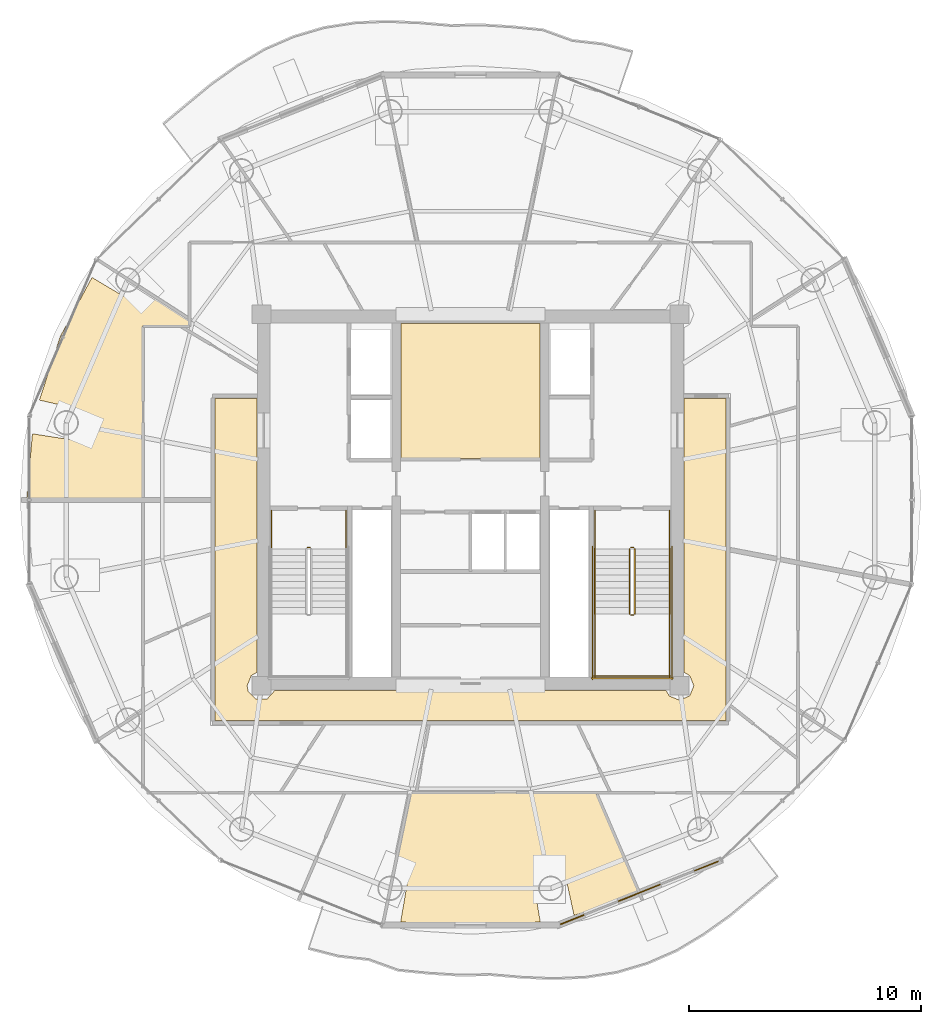
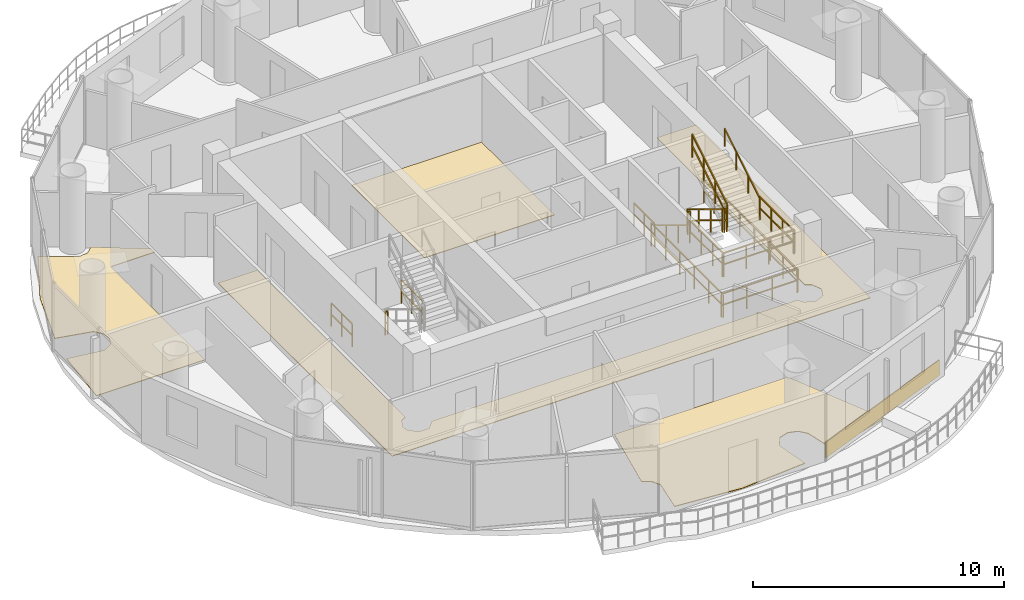
# One storey, part 22 of 23: 17 railings, 5 coverings.
"""IFC4 building model written with IfcOpenShell, lengths in metres."""

from ifc_helpers import new_model, si_unit, direction, frame, origin, origin_2d, place, context, subcontext, project, spatial, polyline, rectangle, outline, extrude, source, transform, mapped, material, layer, layer_set, type_object, element, save


model = new_model("IFC4")

# Units and contexts
model_context = context("Model", 3, precision=1e-05, world=origin(), true_north=direction((-0.2419218956, 0.970295726276)))
body_context = subcontext(model_context, "Body", "Model", "MODEL_VIEW")
ifc_project = project(units=[si_unit("LENGTHUNIT", "METRE"), si_unit("AREAUNIT", "SQUARE_METRE"), si_unit("VOLUMEUNIT", "CUBIC_METRE"), si_unit("PLANEANGLEUNIT", "RADIAN"), si_unit("MASSUNIT", "GRAM", prefix="KILO")], contexts=[model_context])

# Site, building, storey
site_placement = place(None, origin())
site = spatial("IfcSite", under=ifc_project, at=site_placement, CompositionType="ELEMENT")
building_placement = place(site_placement, origin())
building = spatial("IfcBuilding", under=site, at=building_placement, Name="Cobrevalo Terracotta Tower", CompositionType="ELEMENT")
storey_placement = place(building_placement, frame((0.0, 0.0, 296.949951171875)))
storey = spatial("IfcBuildingStorey", under=building, at=storey_placement, Name="L78", CompositionType="ELEMENT", Elevation=296.949951171875)

# Coverings
ifc_material_1 = material(Name="Engineered Brazilian hardwood flooring", Category="wood")
ifc_layer_1 = layer(ifc_material_1, 0.028076171875)
ifc_layer_set_1 = layer_set([ifc_layer_1], Name="Engineered Brazilian hardwood flooring")
covering_type_1 = type_object("IfcCoveringType", Name="Engineered Hardwood Suite Flooring 28", PredefinedType="FLOORING", material=ifc_layer_set_1)
covering_1_placement = place(storey_placement, origin())
element("IfcCovering", 1, at=covering_1_placement, inside=storey, type_object=covering_type_1, Name="Flat L78A Private Cinema Room floor finish", PredefinedType="FLOORING", context=body_context, shape_type="SweptSolid", body=[
    extrude(outline(polyline([(23.875, 34.300048828125), (23.875, 26.820068359375), (18.88134765625, 26.820068359375), (19.1357421875, 29.65087890625), (20.740966796875, 29.401611328125), (21.118408203125, 29.60693359375), (21.318115234375, 29.9873046875), (21.272705078125, 30.41455078125), (20.99755859375, 30.74462890625), (19.43505859375, 31.1005859375), (20.33544921875, 33.848876953125), (21.699951171875, 36.382568359375), (23.1103515625, 35.5439453125), (23.537109375, 35.593994140625), (23.864501953125, 35.88037109375), (25.885009765625, 34.5791015625), (25.885009765625, 34.300048828125), (23.875, 34.300048828125)])), origin(), (0.0, 0.0, 1.0), 0.030029296875),
])
covering_2_placement = place(storey_placement, origin())
element("IfcCovering", 2, at=covering_2_placement, inside=storey, type_object=covering_type_1, Name="Flat L78B Principal Guest Bedroom floor finish", PredefinedType="FLOORING", context=body_context, shape_type="SweptSolid", body=[
    extrude(outline(polyline([(42.45947265625, 8.9140625), (42.144287109375, 10.3662109375), (41.869140625, 10.6962890625), (41.45703125, 10.817626953125), (41.046875, 10.689697265625), (40.73583984375, 10.21630859375), (41.005859375, 8.635498046875), (38.0, 8.380126953125), (34.994140625, 8.635498046875), (35.26416015625, 10.21630859375), (35.064453125, 10.596923828125), (34.71728515625, 10.79296875), (35.4150390625, 14.175048828125), (43.4033203125, 14.175048828125), (45.294189453125, 9.77490234375), (42.45947265625, 8.9140625)])), origin(), (0.0, 0.0, 1.0), 0.030029296875),
])
ifc_material_2 = material(Name="Honed terracotta and granite tile", Category="masonry")
ifc_layer_2 = layer(ifc_material_2, 0.034912109375)
ifc_layer_set_2 = layer_set([ifc_layer_2], Name="Honed terracotta and granite tile")
covering_type_2 = type_object("IfcCoveringType", Name="Honed Terracotta & Granite Interior Flooring 35", PredefinedType="FLOORING", material=ifc_layer_set_2)
covering_3_placement = place(storey_placement, origin())
element("IfcCovering", 3, at=covering_3_placement, inside=storey, type_object=covering_type_2, Name="Floor Electrical Switchroom floor finish", PredefinedType="FLOORING", context=body_context, shape_type="SweptSolid", body=[
    extrude(outline(polyline([(35.010009765625, 34.405029296875), (40.989990234375, 34.405029296875), (40.989990234375, 28.580078125), (35.010009765625, 28.580078125), (35.010009765625, 34.405029296875)])), origin(), (0.0, 0.0, 1.0), 0.030029296875),
])
covering_4_placement = place(storey_placement, origin())
element("IfcCovering", 4, at=covering_4_placement, inside=storey, type_object=covering_type_2, Name="L78 Residential Floor Corridor floor finish", PredefinedType="FLOORING", context=body_context, shape_type="SweptSolid", body=[
    extrude(outline(polyline([(26.9951171875, 31.179931640625), (28.804931640625, 31.179931640625), (28.804931640625, 19.381591796875), (28.561279296875, 19.23876953125), (28.379638671875, 18.800048828125), (28.4267578125, 18.5625), (28.7626953125, 18.226806640625), (29.2373046875, 18.226806640625), (29.58154296875, 18.60498046875), (46.41845703125, 18.60498046875), (46.561279296875, 18.361328125), (47.0, 18.1796875), (47.438720703125, 18.361328125), (47.620361328125, 18.800048828125), (47.438720703125, 19.23876953125), (47.195068359375, 19.381591796875), (47.195068359375, 31.179931640625), (49.0048828125, 31.179931640625), (49.0048828125, 17.294921875), (26.9951171875, 17.294921875), (26.9951171875, 31.179931640625)])), origin(), (0.0, 0.0, 1.0), 0.030029296875),
])

# Railings
ifc_material_3 = material(Name="Brushed stainless steel", Category="steel")
railing_type_1 = type_object("IfcRailingType", Name="Stainless Steel Stair Handrail 900", PredefinedType="HANDRAIL", material=ifc_material_3)
railing_1_placement = place(storey_placement, frame((43.35498046875, 24.699951171875, 0.17041015625)))
element("IfcRailing", 5, at=railing_1_placement, inside=storey, type_object=railing_type_1, Name="L78 ST-2 stair handrail 1", PredefinedType="HANDRAIL", context=body_context, shape_type="SweptSolid", body=[
    extrude(rectangle(XDim=0.048095703125, YDim=0.048095703125, at=origin_2d()), frame((0.0, 0.0, 0.8759765625), z_axis=(0.0, -0.854169791009, 0.51999420009), x_axis=(1.0, 0.0, 0.0)), (0.0, 0.0, 1.0), 3.278076171875),
    extrude(rectangle(XDim=0.0419921875, YDim=0.0419921875, at=origin_2d()), origin(), (0.0, 0.0, 1.0), 0.851806640625),
    extrude(rectangle(XDim=0.0419921875, YDim=0.0419921875, at=origin_2d()), frame((0.0, -0.933349609375, 0.568115234375)), (0.0, 0.0, 1.0), 0.851806640625),
    extrude(rectangle(XDim=0.0419921875, YDim=0.0419921875, at=origin_2d()), frame((0.0, -1.86669921875, 1.136474609375)), (0.0, 0.0, 1.0), 0.851806640625),
    extrude(rectangle(XDim=0.0419921875, YDim=0.0419921875, at=origin_2d()), frame((0.0, -2.800048828125, 1.70458984375)), (0.0, 0.0, 1.0), 0.851806640625),
])
railing_2_placement = place(storey_placement, frame((46.574951171875, 21.89990234375, 2.04541015625)))
element("IfcRailing", 6, at=railing_2_placement, inside=storey, type_object=railing_type_1, Name="L78 ST-2 stair handrail 2", PredefinedType="HANDRAIL", context=body_context, shape_type="SweptSolid", body=[
    extrude(rectangle(XDim=0.048095703125, YDim=0.048095703125, at=origin_2d()), frame((0.0, 0.0, 0.8759765625), z_axis=(0.0, 0.854169791009, 0.51999420009), x_axis=(-1.0, 0.0, 0.0)), (0.0, 0.0, 1.0), 3.278076171875),
    extrude(rectangle(XDim=0.0419921875, YDim=0.0419921875, at=origin_2d()), origin(), (0.0, 0.0, 1.0), 0.851806640625),
    extrude(rectangle(XDim=0.0419921875, YDim=0.0419921875, at=origin_2d()), frame((0.0, 0.933349609375, 0.568115234375)), (0.0, 0.0, 1.0), 0.851806640625),
    extrude(rectangle(XDim=0.0419921875, YDim=0.0419921875, at=origin_2d()), frame((0.0, 1.86669921875, 1.136474609375)), (0.0, 0.0, 1.0), 0.851806640625),
    extrude(rectangle(XDim=0.0419921875, YDim=0.0419921875, at=origin_2d()), frame((0.0, 2.800048828125, 1.70458984375)), (0.0, 0.0, 1.0), 0.851806640625),
])
ifc_material_4 = material(Name="Painted galvanized steel", Category="steel")
railing_type_2 = type_object("IfcRailingType", Name="Stair Well Guard Balustrade 1150", PredefinedType="GUARDRAIL", material=ifc_material_4)
railing_3_placement = place(storey_placement, frame((30.97509765625, 24.75, 0.0)))
element("IfcRailing", 7, at=railing_3_placement, inside=storey, type_object=railing_type_2, Name="L78 ST-1 stair guard 7", PredefinedType="GUARDRAIL", context=body_context, shape_type="SweptSolid", body=[
    extrude(rectangle(XDim=0.048095703125, YDim=0.048095703125, at=origin_2d()), frame((0.0, 0.0, 1.1259765625), z_axis=(1.0, 0.0, 0.0), x_axis=(0.0, 1.0, 0.0)), (0.0, 0.0, 1.0), 0.119873046875),
    extrude(rectangle(XDim=0.048095703125, YDim=0.048095703125, at=origin_2d()), frame((0.0, 0.0, 0.574951171875), z_axis=(1.0, 0.0, 0.0), x_axis=(0.0, 1.0, 0.0)), (0.0, 0.0, 1.0), 0.119873046875),
    extrude(rectangle(XDim=0.0419921875, YDim=0.0419921875, at=origin_2d()), origin(), (0.0, 0.0, 1.0), 1.101806640625),
    extrude(rectangle(XDim=0.0419921875, YDim=0.0419921875, at=origin_2d()), frame((0.119873046875, 0.0, 0.0)), (0.0, 0.0, 1.0), 1.101806640625),
])
for number, where, name in (
    (8, (29.425048828125, 26.35009765625, 0.0), "L78 ST-1 stair guard 8"),
    (9, (32.64501953125, 26.35009765625, 0.0), "L78 ST-1 stair guard 9"),
):
    element("IfcRailing", number, at=place(storey_placement, frame(where)), inside=storey, type_object=railing_type_2, Name=name, PredefinedType="GUARDRAIL", context=body_context, shape_type="SweptSolid", body=[
        extrude(rectangle(XDim=0.048095703125, YDim=0.048095703125, at=origin_2d()), frame((0.0, 0.0, 1.1259765625), z_axis=(0.0, -1.0, 0.0), x_axis=(1.0, 0.0, 0.0)), (0.0, 0.0, 1.0), 1.650146484375),
        extrude(rectangle(XDim=0.048095703125, YDim=0.048095703125, at=origin_2d()), frame((0.0, 0.0, 0.574951171875), z_axis=(0.0, -1.0, 0.0), x_axis=(1.0, 0.0, 0.0)), (0.0, 0.0, 1.0), 1.650146484375),
        extrude(rectangle(XDim=0.0419921875, YDim=0.0419921875, at=origin_2d()), origin(), (0.0, 0.0, 1.0), 1.101806640625),
        extrude(rectangle(XDim=0.0419921875, YDim=0.0419921875, at=origin_2d()), frame((0.0, -0.8251953125, 0.0)), (0.0, 0.0, 1.0), 1.101806640625),
        extrude(rectangle(XDim=0.0419921875, YDim=0.0419921875, at=origin_2d()), frame((0.0, -1.650146484375, 0.0)), (0.0, 0.0, 1.0), 1.101806640625),
    ])
railing_4_placement = place(storey_placement, frame((44.85498046875, 24.699951171875, 0.17041015625)))
element("IfcRailing", 10, at=railing_4_placement, inside=storey, type_object=railing_type_2, Name="L78 ST-2 stair guard 1", PredefinedType="GUARDRAIL", context=body_context, shape_type="SweptSolid", body=[
    extrude(rectangle(XDim=0.048095703125, YDim=0.048095703125, at=origin_2d()), frame((0.0, 0.0, 1.1259765625), z_axis=(0.0, -0.854169791009, 0.51999420009), x_axis=(1.0, 0.0, 0.0)), (0.0, 0.0, 1.0), 3.278076171875),
    extrude(rectangle(XDim=0.048095703125, YDim=0.048095703125, at=origin_2d()), frame((0.0, 0.0, 0.574951171875), z_axis=(0.0, -0.854169791009, 0.51999420009), x_axis=(1.0, 0.0, 0.0)), (0.0, 0.0, 1.0), 3.278076171875),
    extrude(rectangle(XDim=0.0419921875, YDim=0.0419921875, at=origin_2d()), origin(), (0.0, 0.0, 1.0), 1.101806640625),
    extrude(rectangle(XDim=0.0419921875, YDim=0.0419921875, at=origin_2d()), frame((0.0, -0.933349609375, 0.568115234375)), (0.0, 0.0, 1.0), 1.101806640625),
    extrude(rectangle(XDim=0.0419921875, YDim=0.0419921875, at=origin_2d()), frame((0.0, -1.86669921875, 1.136474609375)), (0.0, 0.0, 1.0), 1.101806640625),
    extrude(rectangle(XDim=0.0419921875, YDim=0.0419921875, at=origin_2d()), frame((0.0, -2.800048828125, 1.70458984375)), (0.0, 0.0, 1.0), 1.101806640625),
])
railing_5_placement = place(storey_placement, frame((44.905029296875, 21.85009765625, 1.875)))
element("IfcRailing", 11, at=railing_5_placement, inside=storey, type_object=railing_type_2, Name="L78 ST-2 stair guard 2", PredefinedType="GUARDRAIL", context=body_context, shape_type="SweptSolid", body=[
    extrude(rectangle(XDim=0.048095703125, YDim=0.048095703125, at=origin_2d()), frame((0.0, 0.0, 1.1259765625), z_axis=(1.0, 0.0, 0.0), x_axis=(0.0, 1.0, 0.0)), (0.0, 0.0, 1.0), 0.119873046875),
    extrude(rectangle(XDim=0.048095703125, YDim=0.048095703125, at=origin_2d()), frame((0.0, 0.0, 0.574951171875), z_axis=(1.0, 0.0, 0.0), x_axis=(0.0, 1.0, 0.0)), (0.0, 0.0, 1.0), 0.119873046875),
    extrude(rectangle(XDim=0.0419921875, YDim=0.0419921875, at=origin_2d()), origin(), (0.0, 0.0, 1.0), 1.101806640625),
    extrude(rectangle(XDim=0.0419921875, YDim=0.0419921875, at=origin_2d()), frame((0.119873046875, 0.0, 0.0)), (0.0, 0.0, 1.0), 1.101806640625),
])
for number, where, name in (
    (12, (43.35498046875, 21.89990234375, 1.875), "L78 ST-2 stair guard 3"),
    (13, (46.574951171875, 21.89990234375, 1.875), "L78 ST-2 stair guard 4"),
):
    element("IfcRailing", number, at=place(storey_placement, frame(where)), inside=storey, type_object=railing_type_2, Name=name, PredefinedType="GUARDRAIL", context=body_context, shape_type="SweptSolid", body=[
        extrude(rectangle(XDim=0.048095703125, YDim=0.048095703125, at=origin_2d()), frame((0.0, 0.0, 1.1259765625), z_axis=(0.0, -1.0, 0.0), x_axis=(1.0, 0.0, 0.0)), (0.0, 0.0, 1.0), 2.724853515625),
        extrude(rectangle(XDim=0.048095703125, YDim=0.048095703125, at=origin_2d()), frame((0.0, 0.0, 0.574951171875), z_axis=(0.0, -1.0, 0.0), x_axis=(1.0, 0.0, 0.0)), (0.0, 0.0, 1.0), 2.724853515625),
        extrude(rectangle(XDim=0.0419921875, YDim=0.0419921875, at=origin_2d()), origin(), (0.0, 0.0, 1.0), 1.101806640625),
        extrude(rectangle(XDim=0.0419921875, YDim=0.0419921875, at=origin_2d()), frame((0.0, -0.908203125, 0.0)), (0.0, 0.0, 1.0), 1.101806640625),
        extrude(rectangle(XDim=0.0419921875, YDim=0.0419921875, at=origin_2d()), frame((0.0, -1.816650390625, 0.0)), (0.0, 0.0, 1.0), 1.101806640625),
        extrude(rectangle(XDim=0.0419921875, YDim=0.0419921875, at=origin_2d()), frame((0.0, -2.724853515625, 0.0)), (0.0, 0.0, 1.0), 1.101806640625),
    ])
railing_6_placement = place(storey_placement, frame((43.304931640625, 19.22509765625, 1.875)))
element("IfcRailing", 14, at=railing_6_placement, inside=storey, type_object=railing_type_2, Name="L78 ST-2 stair guard 5", PredefinedType="GUARDRAIL", context=body_context, shape_type="SweptSolid", body=[
    extrude(rectangle(XDim=0.048095703125, YDim=0.048095703125, at=origin_2d()), frame((0.0, 0.0, 1.1259765625), z_axis=(1.0, 0.0, 0.0), x_axis=(0.0, 1.0, 0.0)), (0.0, 0.0, 1.0), 3.320068359375),
    extrude(rectangle(XDim=0.048095703125, YDim=0.048095703125, at=origin_2d()), frame((0.0, 0.0, 0.574951171875), z_axis=(1.0, 0.0, 0.0), x_axis=(0.0, 1.0, 0.0)), (0.0, 0.0, 1.0), 3.320068359375),
    extrude(rectangle(XDim=0.0419921875, YDim=0.0419921875, at=origin_2d()), origin(), (0.0, 0.0, 1.0), 1.101806640625),
    extrude(rectangle(XDim=0.0419921875, YDim=0.0419921875, at=origin_2d()), frame((1.106689453125, 0.0, 0.0)), (0.0, 0.0, 1.0), 1.101806640625),
    extrude(rectangle(XDim=0.0419921875, YDim=0.0419921875, at=origin_2d()), frame((2.21337890625, 0.0, 0.0)), (0.0, 0.0, 1.0), 1.101806640625),
    extrude(rectangle(XDim=0.0419921875, YDim=0.0419921875, at=origin_2d()), frame((3.320068359375, 0.0, 0.0)), (0.0, 0.0, 1.0), 1.101806640625),
])
railing_7_placement = place(storey_placement, frame((45.074951171875, 21.89990234375, 2.04541015625)))
element("IfcRailing", 15, at=railing_7_placement, inside=storey, type_object=railing_type_2, Name="L78 ST-2 stair guard 6", PredefinedType="GUARDRAIL", context=body_context, shape_type="SweptSolid", body=[
    extrude(rectangle(XDim=0.048095703125, YDim=0.048095703125, at=origin_2d()), frame((0.0, 0.0, 1.1259765625), z_axis=(0.0, 0.854169791009, 0.51999420009), x_axis=(-1.0, 0.0, 0.0)), (0.0, 0.0, 1.0), 3.278076171875),
    extrude(rectangle(XDim=0.048095703125, YDim=0.048095703125, at=origin_2d()), frame((0.0, 0.0, 0.574951171875), z_axis=(0.0, 0.854169791009, 0.51999420009), x_axis=(-1.0, 0.0, 0.0)), (0.0, 0.0, 1.0), 3.278076171875),
    extrude(rectangle(XDim=0.0419921875, YDim=0.0419921875, at=origin_2d()), origin(), (0.0, 0.0, 1.0), 1.101806640625),
    extrude(rectangle(XDim=0.0419921875, YDim=0.0419921875, at=origin_2d()), frame((0.0, 0.933349609375, 0.568115234375)), (0.0, 0.0, 1.0), 1.101806640625),
    extrude(rectangle(XDim=0.0419921875, YDim=0.0419921875, at=origin_2d()), frame((0.0, 1.86669921875, 1.136474609375)), (0.0, 0.0, 1.0), 1.101806640625),
    extrude(rectangle(XDim=0.0419921875, YDim=0.0419921875, at=origin_2d()), frame((0.0, 2.800048828125, 1.70458984375)), (0.0, 0.0, 1.0), 1.101806640625),
])
railing_8_placement = place(storey_placement, frame((44.905029296875, 24.75, 0.0)))
element("IfcRailing", 16, at=railing_8_placement, inside=storey, type_object=railing_type_2, Name="L78 ST-2 stair guard 7", PredefinedType="GUARDRAIL", context=body_context, shape_type="SweptSolid", body=[
    extrude(rectangle(XDim=0.048095703125, YDim=0.048095703125, at=origin_2d()), frame((0.0, 0.0, 1.1259765625), z_axis=(1.0, 0.0, 0.0), x_axis=(0.0, 1.0, 0.0)), (0.0, 0.0, 1.0), 0.119873046875),
    extrude(rectangle(XDim=0.048095703125, YDim=0.048095703125, at=origin_2d()), frame((0.0, 0.0, 0.574951171875), z_axis=(1.0, 0.0, 0.0), x_axis=(0.0, 1.0, 0.0)), (0.0, 0.0, 1.0), 0.119873046875),
    extrude(rectangle(XDim=0.0419921875, YDim=0.0419921875, at=origin_2d()), origin(), (0.0, 0.0, 1.0), 1.101806640625),
    extrude(rectangle(XDim=0.0419921875, YDim=0.0419921875, at=origin_2d()), frame((0.119873046875, 0.0, 0.0)), (0.0, 0.0, 1.0), 1.101806640625),
])
for number, where, name in (
    (17, (43.35498046875, 26.35009765625, 0.0), "L78 ST-2 stair guard 8"),
    (18, (46.574951171875, 26.35009765625, 0.0), "L78 ST-2 stair guard 9"),
):
    element("IfcRailing", number, at=place(storey_placement, frame(where)), inside=storey, type_object=railing_type_2, Name=name, PredefinedType="GUARDRAIL", context=body_context, shape_type="SweptSolid", body=[
        extrude(rectangle(XDim=0.048095703125, YDim=0.048095703125, at=origin_2d()), frame((0.0, 0.0, 1.1259765625), z_axis=(0.0, -1.0, 0.0), x_axis=(1.0, 0.0, 0.0)), (0.0, 0.0, 1.0), 1.650146484375),
        extrude(rectangle(XDim=0.048095703125, YDim=0.048095703125, at=origin_2d()), frame((0.0, 0.0, 0.574951171875), z_axis=(0.0, -1.0, 0.0), x_axis=(1.0, 0.0, 0.0)), (0.0, 0.0, 1.0), 1.650146484375),
        extrude(rectangle(XDim=0.0419921875, YDim=0.0419921875, at=origin_2d()), origin(), (0.0, 0.0, 1.0), 1.101806640625),
        extrude(rectangle(XDim=0.0419921875, YDim=0.0419921875, at=origin_2d()), frame((0.0, -0.8251953125, 0.0)), (0.0, 0.0, 1.0), 1.101806640625),
        extrude(rectangle(XDim=0.0419921875, YDim=0.0419921875, at=origin_2d()), frame((0.0, -1.650146484375, 0.0)), (0.0, 0.0, 1.0), 1.101806640625),
    ])
for number, where, name in (
    (19, (43.2548828125, 24.800048828125, 0.0), "L78 ST-2 stair guard 10"),
    (20, (46.675048828125, 24.800048828125, 0.0), "L78 ST-2 stair guard 11"),
):
    element("IfcRailing", number, at=place(storey_placement, frame(where)), inside=storey, type_object=railing_type_2, Name=name, PredefinedType="GUARDRAIL", context=body_context, shape_type="SweptSolid", body=[
        extrude(rectangle(XDim=0.048095703125, YDim=0.048095703125, at=origin_2d()), frame((0.0, 0.0, 1.1259765625), z_axis=(0.0, -1.0, 0.0), x_axis=(1.0, 0.0, 0.0)), (0.0, 0.0, 1.0), 5.72509765625),
        extrude(rectangle(XDim=0.048095703125, YDim=0.048095703125, at=origin_2d()), frame((0.0, 0.0, 0.574951171875), z_axis=(0.0, -1.0, 0.0), x_axis=(1.0, 0.0, 0.0)), (0.0, 0.0, 1.0), 5.72509765625),
        extrude(rectangle(XDim=0.0419921875, YDim=0.0419921875, at=origin_2d()), origin(), (0.0, 0.0, 1.0), 1.101806640625),
        extrude(rectangle(XDim=0.0419921875, YDim=0.0419921875, at=origin_2d()), frame((0.0, -1.14501953125, 0.0)), (0.0, 0.0, 1.0), 1.101806640625),
        extrude(rectangle(XDim=0.0419921875, YDim=0.0419921875, at=origin_2d()), frame((0.0, -2.2900390625, 0.0)), (0.0, 0.0, 1.0), 1.101806640625),
        extrude(rectangle(XDim=0.0419921875, YDim=0.0419921875, at=origin_2d()), frame((0.0, -3.43505859375, 0.0)), (0.0, 0.0, 1.0), 1.101806640625),
        extrude(rectangle(XDim=0.0419921875, YDim=0.0419921875, at=origin_2d()), frame((0.0, -4.580078125, 0.0)), (0.0, 0.0, 1.0), 1.101806640625),
        extrude(rectangle(XDim=0.0419921875, YDim=0.0419921875, at=origin_2d()), frame((0.0, -5.72509765625, 0.0)), (0.0, 0.0, 1.0), 1.101806640625),
    ])
railing_9_placement = place(storey_placement, frame((43.205078125, 19.125, 0.0)))
element("IfcRailing", 21, at=railing_9_placement, inside=storey, type_object=railing_type_2, Name="L78 ST-2 stair guard 12", PredefinedType="GUARDRAIL", context=body_context, shape_type="SweptSolid", body=[
    extrude(rectangle(XDim=0.048095703125, YDim=0.048095703125, at=origin_2d()), frame((0.0, 0.0, 1.1259765625), z_axis=(1.0, 0.0, 0.0), x_axis=(0.0, 1.0, 0.0)), (0.0, 0.0, 1.0), 3.52001953125),
    extrude(rectangle(XDim=0.048095703125, YDim=0.048095703125, at=origin_2d()), frame((0.0, 0.0, 0.574951171875), z_axis=(1.0, 0.0, 0.0), x_axis=(0.0, 1.0, 0.0)), (0.0, 0.0, 1.0), 3.52001953125),
    extrude(rectangle(XDim=0.0419921875, YDim=0.0419921875, at=origin_2d()), origin(), (0.0, 0.0, 1.0), 1.101806640625),
    extrude(rectangle(XDim=0.0419921875, YDim=0.0419921875, at=origin_2d()), frame((1.17333984375, 0.0, 0.0)), (0.0, 0.0, 1.0), 1.101806640625),
    extrude(rectangle(XDim=0.0419921875, YDim=0.0419921875, at=origin_2d()), frame((2.3466796875, 0.0, 0.0)), (0.0, 0.0, 1.0), 1.101806640625),
    extrude(rectangle(XDim=0.0419921875, YDim=0.0419921875, at=origin_2d()), frame((3.52001953125, 0.0, 0.0)), (0.0, 0.0, 1.0), 1.101806640625),
])

# Covering
ifc_material_5 = material(Name="Glazed terracotta facade cladding tile", Category="masonry")
ifc_layer_3 = layer(ifc_material_5, 0.044921875)
ifc_layer_set_3 = layer_set([ifc_layer_3], Name="Glazed terracotta facade cladding tile")
covering_type_3 = type_object("IfcCoveringType", Name="Architectural terracotta rainscreen spandrel cladding 45 mm", PredefinedType="CLADDING", material=ifc_layer_set_3)
shared_shape = source(origin(), body_context, "Body", "SweptSolid", [
    extrude(rectangle(XDim=7.318359375, YDim=0.044921875, at=origin_2d()), origin(), (0.0, 0.0, 1.0), 0.760009765625),
])
covering_5_placement = place(storey_placement, frame((45.270263671875, 9.882568359375, 0.0400390625), z_axis=(0.0, 0.0, 1.0), x_axis=(0.92871833374, 0.370785998353, 0.0)))
element("IfcCovering", 22, at=covering_5_placement, inside=storey, type_object=covering_type_3, Name="L78 terracotta spandrel cladding S13", PredefinedType="CLADDING", context=body_context, shape_type="MappedRepresentation", body=[
    mapped(shared_shape, transform((0.0, 0.0, 0.0), scale=1.0)),
])

save(model, "model.ifc")
